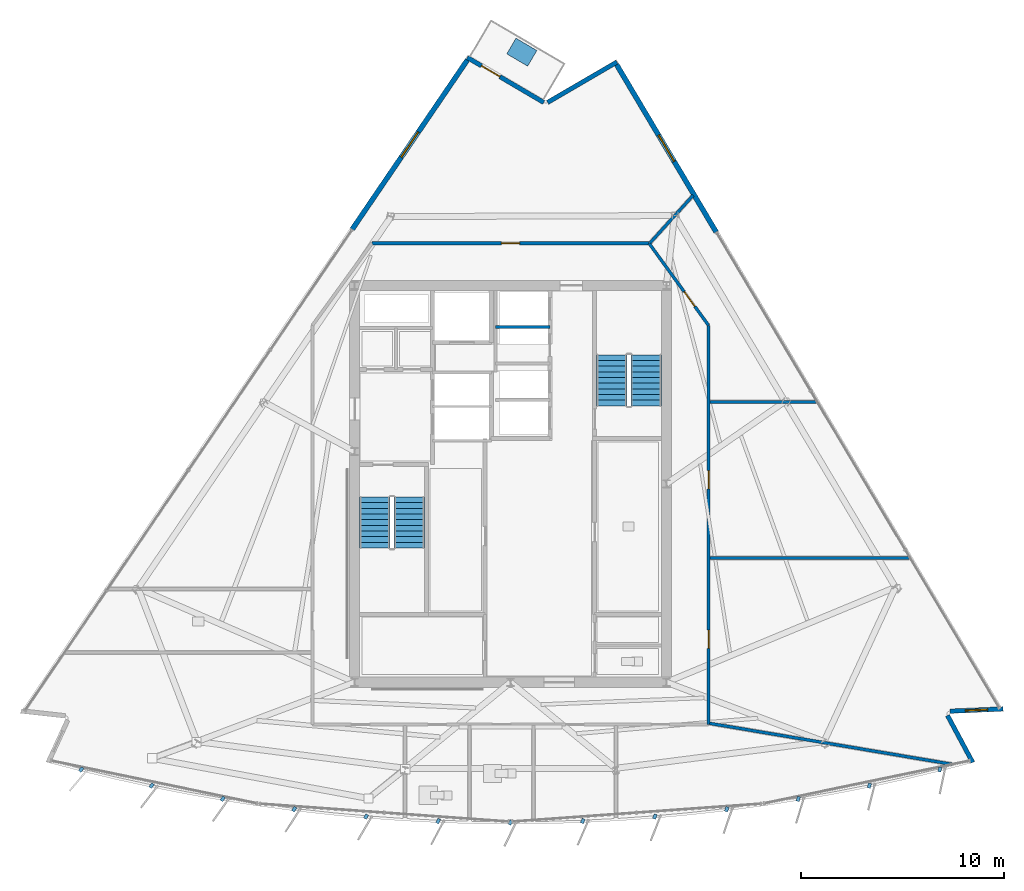
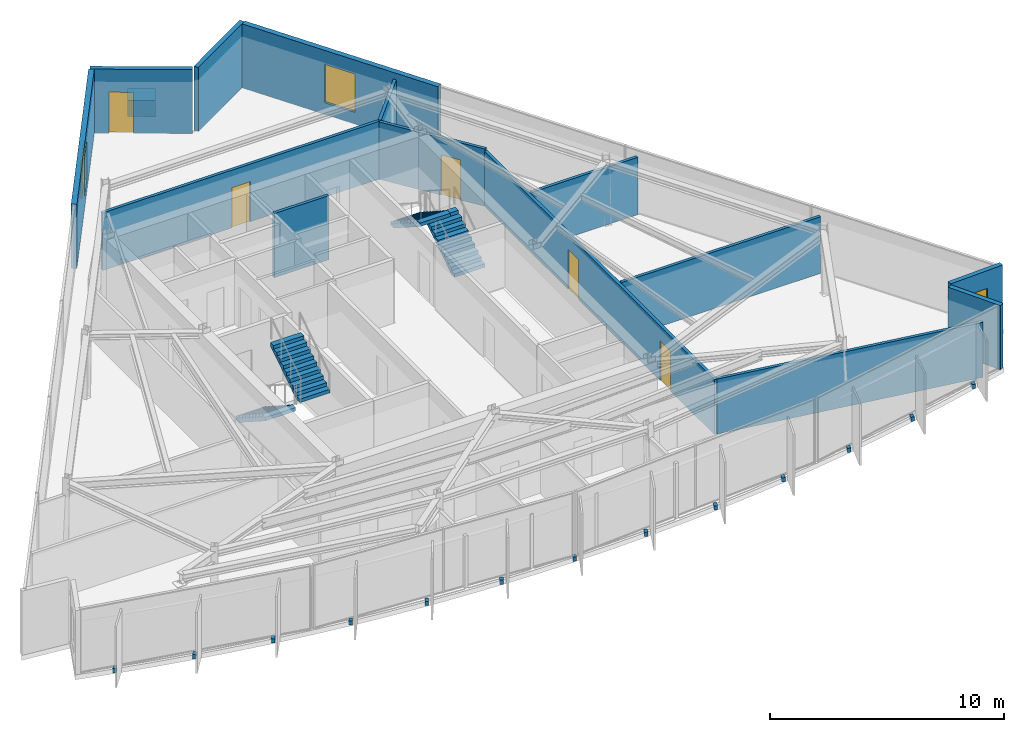
# One storey, part 8 of 12: 14 discrete accessories, 14 walls, 5 doors, 4 stair flights, 3 windows, 8 openings, 2 elements without a shape of their own.
"""IFC4 building model written with IfcOpenShell, lengths in metres."""

from ifc_helpers import new_model, si_unit, direction, frame, frame_2d, origin, origin_2d, place, context, subcontext, project, spatial, polyline, rectangle, outline, extrude, material, layer, layer_set, type_object, element, fill, aggregate, save


model = new_model("IFC4")

# Units and contexts
model_context = context("Model", 3, precision=1e-05, world=origin(), true_north=direction((0.0, 1.0)))
body_context = subcontext(model_context, "Body", "Model", "MODEL_VIEW")
ifc_project = project(units=[si_unit("LENGTHUNIT", "METRE"), si_unit("AREAUNIT", "SQUARE_METRE"), si_unit("VOLUMEUNIT", "CUBIC_METRE"), si_unit("PLANEANGLEUNIT", "RADIAN"), si_unit("MASSUNIT", "GRAM", prefix="KILO")], contexts=[model_context])

# Site, building, storey
site_placement = place(None, origin())
site = spatial("IfcSite", under=ifc_project, at=site_placement, CompositionType="ELEMENT")
building_placement = place(site_placement, origin())
building = spatial("IfcBuilding", under=site, at=building_placement, Name="Savorim Split Tower", CompositionType="ELEMENT")
storey_placement = place(building_placement, frame((0.0, 0.0, 268.800048828125)))
storey = spatial("IfcBuildingStorey", under=building, at=storey_placement, Name="L71", CompositionType="ELEMENT", Elevation=268.800048828125)

# Wall
ifc_material_1 = material(Name="Precast concrete C40/50", Category="concrete")
ifc_layer_1 = layer(ifc_material_1, 0.219970703125)
ifc_layer_set_1 = layer_set([ifc_layer_1], Name="WAL-EXT-CRN220")
wall_type_1 = type_object("IfcWallType", Name="WAL-EXT-CRN220", PredefinedType="SOLIDWALL", material=ifc_layer_set_1)
wall_1_placement = place(storey_placement, frame((21.58056640625, -11.03955078125, 0.0), z_axis=(0.0, 0.0, 1.0), x_axis=(0.472791303324, -0.881174434208, 0.0)))
element("IfcWall", 1, at=wall_1_placement, inside=storey, type_object=wall_type_1, Name="L71 Notched Corner Facade Wall SE1", PredefinedType="SOLIDWALL", context=body_context, shape_type="SweptSolid", body=[
    extrude(rectangle(XDim=2.626953125, YDim=0.219970703125, at=frame_2d((1.3134765625, 0.0))), origin(), (0.0, 0.0, 1.0), 3.349853515625),
])

# Wall, opening, window
wall_2_placement = place(storey_placement, frame((24.32421875, -10.71435546875, 0.0), z_axis=(0.0, 0.0, 1.0), x_axis=(-0.999095924753, -0.042512740932, 0.0)))
wall_2 = element("IfcWall", 2, at=wall_2_placement, inside=storey, type_object=wall_type_1, Name="L71 Notched Corner Facade Wall SE", PredefinedType="SOLIDWALL", context=body_context, shape_type="SweptSolid", body=[
    extrude(rectangle(XDim=2.62451171875, YDim=0.219970703125, at=frame_2d((1.312255859375, 0.0))), origin(), (0.0, 0.0, 1.0), 3.349853515625),
])
opening_1_placement = place(wall_2_placement, frame((0.76220703125, 0.0, 0.6201171875)))
opening_1 = element("IfcOpeningElement", 3, at=opening_1_placement, cuts=wall_2, Name="Opening WN-09", PredefinedType="OPENING", context=body_context, shape_type="SweptSolid", body=[
    extrude(rectangle(XDim=1.10009765625, YDim=1.800048828125, at=frame_2d((0.550048828125, 0.89990234375))), frame((0.0, 0.119873046875, 0.0), z_axis=(0.0, -1.0, 0.0), x_axis=(1.0, 0.0, 0.0)), (0.0, 0.0, 1.0), 0.239990234375),
])
ifc_material_2 = material(Name="Low-E Operable Double Glazing", Category="glass")
window_type_1 = type_object("IfcWindowType", Name="WIN-TWR-1100x1800", PartitioningType="SINGLE_PANEL", PredefinedType="WINDOW", material=ifc_material_2)
window_1_placement = place(opening_1_placement, origin())
window_1 = element("IfcWindow", 4, at=window_1_placement, inside=storey, type_object=window_type_1, Name="L71 Operable Corner Window SE", OverallHeight=1.800048828125, OverallWidth=1.10009765625, PartitioningType="SINGLE_PANEL", PredefinedType="WINDOW", context=body_context, shape_type="SweptSolid", body=[
    extrude(rectangle(XDim=1.10009765625, YDim=1.800048828125, at=frame_2d((0.550048828125, 0.89990234375))), frame((0.0, 0.030029296875, 0.0), z_axis=(0.0, -1.0, 0.0), x_axis=(1.0, 0.0, 0.0)), (0.0, 0.0, 1.0), 0.06005859375),
])
fill(opening_1, window_1)

# Wall
wall_3_placement = place(storey_placement, frame((1.832275390625, 19.233642578125, 0.0), z_axis=(0.0, 0.0, 1.0), x_axis=(0.86397765749, 0.503530145432, 0.0)))
element("IfcWall", 5, at=wall_3_placement, inside=storey, type_object=wall_type_1, Name="L71 Notched Corner Facade Wall NE1", PredefinedType="SOLIDWALL", context=body_context, shape_type="SweptSolid", body=[
    extrude(rectangle(XDim=3.963623046875, YDim=0.219970703125, at=frame_2d((1.98193359375, 0.0))), origin(), (0.0, 0.0, 1.0), 3.349853515625),
])

# Wall, opening, door
wall_4_placement = place(storey_placement, frame((-2.1337890625, 21.453125, 0.0), z_axis=(0.0, 0.0, 1.0), x_axis=(0.862106131527, -0.506727755292, 0.0)))
wall_4 = element("IfcWall", 6, at=wall_4_placement, inside=storey, type_object=wall_type_1, Name="L71 Notched Corner Facade Wall N", PredefinedType="SOLIDWALL", context=body_context, shape_type="SweptSolid", body=[
    extrude(rectangle(XDim=4.379638671875, YDim=0.219970703125, at=frame_2d((2.18994140625, 0.0))), origin(), (0.0, 0.0, 1.0), 3.349853515625),
])
opening_2_placement = place(wall_4_placement, frame((0.814697265625, 0.0, 0.0)))
opening_2 = element("IfcOpeningElement", 7, at=opening_2_placement, cuts=wall_4, Name="Opening DB-01", PredefinedType="OPENING", context=body_context, shape_type="SweptSolid", body=[
    extrude(rectangle(XDim=1.050048828125, YDim=2.14990234375, at=frame_2d((0.52490234375, 1.074951171875))), frame((0.0, 0.119873046875, 0.0), z_axis=(0.0, -1.0, 0.0), x_axis=(1.0, 0.0, 0.0)), (0.0, 0.0, 1.0), 0.239990234375),
])
ifc_material_3 = material(Name="Charcoal Anodised Aluminium", Category="aluminium")
door_type_1 = type_object("IfcDoorType", Name="DOR-BAL-1050", OperationType="NOTDEFINED", PredefinedType="DOOR", material=ifc_material_3)
door_1_placement = place(opening_2_placement, origin())
door_1 = element("IfcDoor", 8, at=door_1_placement, inside=storey, type_object=door_type_1, Name="DOR-L71-TBAL-N - L71 Planted Tree Balcony Door N", OperationType="SINGLE_SWING_RIGHT", OverallHeight=2.14990234375, OverallWidth=1.050048828125, PredefinedType="DOOR", context=body_context, shape_type="SweptSolid", body=[
    extrude(rectangle(XDim=1.050048828125, YDim=2.14990234375, at=frame_2d((0.52490234375, 1.074951171875))), frame((0.0, 0.02490234375, 0.0), z_axis=(0.0, -1.0, 0.0), x_axis=(1.0, 0.0, 0.0)), (0.0, 0.0, 1.0), 0.050048828125),
])
fill(opening_2, door_1)

# Wall, opening, window
ifc_layer_2 = layer(ifc_material_1, 0.25)
ifc_layer_set_2 = layer_set([ifc_layer_2], Name="WAL-EXT-SPN250")
wall_type_2 = type_object("IfcWallType", Name="WAL-EXT-SPN250", PredefinedType="SOLIDWALL", material=ifc_layer_set_2)
wall_5_placement = place(storey_placement, frame((5.240234375, 21.10302734375, 0.0), z_axis=(0.0, 0.0, 1.0), x_axis=(0.511088566076, -0.859528055171, 0.0)))
wall_5 = element("IfcWall", 9, at=wall_5_placement, inside=storey, type_object=wall_type_2, Name="L71 East Operable Window Pier", PredefinedType="SOLIDWALL", context=body_context, shape_type="SweptSolid", body=[
    extrude(rectangle(XDim=9.62158203125, YDim=0.25, at=frame_2d((4.810791015625, 0.0))), origin(), (0.0, 0.0, 1.0), 3.349853515625),
])
opening_3_placement = place(wall_5_placement, frame((4.060791015625, 0.0, 0.6201171875)))
opening_3 = element("IfcOpeningElement", 10, at=opening_3_placement, cuts=wall_5, Name="Opening WN-06", PredefinedType="OPENING", context=body_context, shape_type="SweptSolid", body=[
    extrude(rectangle(XDim=1.5, YDim=2.0, at=frame_2d((0.75, 1.0))), frame((0.0, 0.135009765625, 0.0), z_axis=(0.0, -1.0, 0.0), x_axis=(1.0, 0.0, 0.0)), (0.0, 0.0, 1.0), 0.27001953125),
])
window_type_2 = type_object("IfcWindowType", Name="WIN-TWR-1500x2000", PartitioningType="SINGLE_PANEL", PredefinedType="WINDOW", material=ifc_material_2)
window_2_placement = place(opening_3_placement, origin())
window_2 = element("IfcWindow", 11, at=window_2_placement, inside=storey, type_object=window_type_2, Name="L71 East Operable Ventilation Window", OverallHeight=2.0, OverallWidth=1.5, PartitioningType="SINGLE_PANEL", PredefinedType="WINDOW", context=body_context, shape_type="SweptSolid", body=[
    extrude(rectangle(XDim=1.5, YDim=2.0, at=frame_2d((0.75, 1.0))), frame((0.0, 0.030029296875, 0.0), z_axis=(0.0, -1.0, 0.0), x_axis=(1.0, 0.0, 0.0)), (0.0, 0.0, 1.0), 0.06005859375),
])
fill(opening_3, window_2)

wall_6_placement = place(storey_placement, frame((-7.81689453125, 12.970947265625, 0.0), z_axis=(0.0, 0.0, 1.0), x_axis=(0.562474530687, 0.826814611826, 0.0)))
wall_6 = element("IfcWall", 12, at=wall_6_placement, inside=storey, type_object=wall_type_2, Name="L71 West Operable Window Pier", PredefinedType="SOLIDWALL", context=body_context, shape_type="SweptSolid", body=[
    extrude(rectangle(XDim=10.106689453125, YDim=0.25, at=frame_2d((5.05322265625, 0.0))), origin(), (0.0, 0.0, 1.0), 3.349853515625),
])
opening_4_placement = place(wall_6_placement, frame((4.303466796875, 0.0, 0.6201171875)))
opening_4 = element("IfcOpeningElement", 13, at=opening_4_placement, cuts=wall_6, Name="Opening WN-06", PredefinedType="OPENING", context=body_context, shape_type="SweptSolid", body=[
    extrude(rectangle(XDim=1.5, YDim=2.0, at=frame_2d((0.75, 1.0))), frame((0.0, 0.135009765625, 0.0), z_axis=(0.0, -1.0, 0.0), x_axis=(1.0, 0.0, 0.0)), (0.0, 0.0, 1.0), 0.27001953125),
])
window_3_placement = place(opening_4_placement, origin())
window_3 = element("IfcWindow", 14, at=window_3_placement, inside=storey, type_object=window_type_2, Name="L71 West Operable Ventilation Window", OverallHeight=2.0, OverallWidth=1.5, PartitioningType="SINGLE_PANEL", PredefinedType="WINDOW", context=body_context, shape_type="SweptSolid", body=[
    extrude(rectangle(XDim=1.5, YDim=2.0, at=frame_2d((0.75, 1.0))), frame((0.0, 0.030029296875, 0.0), z_axis=(0.0, -1.0, 0.0), x_axis=(1.0, 0.0, 0.0)), (0.0, 0.0, 1.0), 0.06005859375),
])
fill(opening_4, window_3)

# Wall
ifc_material_4 = material(Name="Acoustic Gypsum Partition Board")
ifc_layer_3 = layer(ifc_material_4, 0.14990234375)
ifc_layer_set_3 = layer_set([ifc_layer_3], Name="WAL-PAR-150")
wall_type_3 = type_object("IfcWallType", Name="WAL-PAR-150", PredefinedType="PARTITIONING", material=ifc_layer_set_3)
wall_7_placement = place(storey_placement, frame((-0.75, 8.14990234375, 0.0), z_axis=(0.0, 0.0, 1.0), x_axis=(1.0, 0.0, 0.0)))
element("IfcWall", 15, at=wall_7_placement, inside=storey, type_object=wall_type_3, Name="L71 Partition W-L71-B3DIV3", PredefinedType="PARTITIONING", context=body_context, shape_type="SweptSolid", body=[
    extrude(rectangle(XDim=2.699951171875, YDim=0.14990234375, at=frame_2d((1.35009765625, 0.0))), origin(), (0.0, 0.0, 1.0), 3.349853515625),
])

# Wall, opening, door
wall_8_placement = place(storey_placement, frame((-6.8408203125, 12.280029296875, 0.0), z_axis=(0.0, 0.0, 1.0), x_axis=(1.0, 0.0, 0.0)))
wall_8 = element("IfcWall", 16, at=wall_8_placement, inside=storey, type_object=wall_type_3, Name="L71 Partition W-L71-COR-03", PredefinedType="PARTITIONING", context=body_context, shape_type="SweptSolid", body=[
    extrude(rectangle(XDim=13.681640625, YDim=0.14990234375, at=frame_2d((6.8408203125, 0.0))), origin(), (0.0, 0.0, 1.0), 3.014892578125),
])
opening_5_placement = place(wall_8_placement, frame((6.390869140625, 0.0, 0.0)))
opening_5 = element("IfcOpeningElement", 17, at=opening_5_placement, cuts=wall_8, Name="Opening DI-06", PredefinedType="OPENING", context=body_context, shape_type="SweptSolid", body=[
    extrude(rectangle(XDim=0.89990234375, YDim=2.10009765625, at=frame_2d((0.449951171875, 1.050048828125))), frame((0.0, 0.0849609375, 0.0), z_axis=(0.0, -1.0, 0.0), x_axis=(1.0, 0.0, 0.0)), (0.0, 0.0, 1.0), 0.169921875),
])
ifc_material_5 = material(Name="Timber Fire Door Leaf", Category="wood")
door_type_2 = type_object("IfcDoorType", Name="DOR-FIR-900", OperationType="NOTDEFINED", PredefinedType="DOOR", material=ifc_material_5)
door_2_placement = place(opening_5_placement, origin())
door_2 = element("IfcDoor", 18, at=door_2_placement, inside=storey, type_object=door_type_2, Name="DR-L71-RM10 - L71 Co-Working Commons Entry Door", OperationType="SINGLE_SWING_LEFT", OverallHeight=2.10009765625, OverallWidth=0.89990234375, PredefinedType="DOOR", context=body_context, shape_type="SweptSolid", body=[
    extrude(rectangle(XDim=0.89990234375, YDim=2.10009765625, at=frame_2d((0.449951171875, 1.050048828125))), frame((0.0, 0.02490234375, 0.0), z_axis=(0.0, -1.0, 0.0), x_axis=(1.0, 0.0, 0.0)), (0.0, 0.0, 1.0), 0.050048828125),
])
fill(opening_5, door_2)

wall_9_placement = place(storey_placement, frame((6.8408203125, 12.280029296875, 0.0), z_axis=(0.0, 0.0, 1.0), x_axis=(0.586956386413, -0.809618552436, 0.0)))
wall_9 = element("IfcWall", 19, at=wall_9_placement, inside=storey, type_object=wall_type_3, Name="L71 Partition W-L71-COR-04", PredefinedType="PARTITIONING", context=body_context, shape_type="SweptSolid", body=[
    extrude(rectangle(XDim=5.007568359375, YDim=0.14990234375, at=frame_2d((2.50390625, 0.0))), origin(), (0.0, 0.0, 1.0), 2.994873046875),
])
opening_6_placement = place(wall_9_placement, frame((2.95361328125, 0.0, 0.0)))
opening_6 = element("IfcOpeningElement", 20, at=opening_6_placement, cuts=wall_9, Name="Opening DI-06", PredefinedType="OPENING", context=body_context, shape_type="SweptSolid", body=[
    extrude(rectangle(XDim=0.89990234375, YDim=2.10009765625, at=frame_2d((0.449951171875, 1.050048828125))), frame((0.0, 0.0849609375, 0.0), z_axis=(0.0, -1.0, 0.0), x_axis=(1.0, 0.0, 0.0)), (0.0, 0.0, 1.0), 0.169921875),
])
door_3_placement = place(opening_6_placement, origin())
door_3 = element("IfcDoor", 21, at=door_3_placement, inside=storey, type_object=door_type_2, Name="DR-L71-RM09 - L71 Quiet Study Room Entry Door", OperationType="SINGLE_SWING_RIGHT", OverallHeight=2.10009765625, OverallWidth=0.89990234375, PredefinedType="DOOR", context=body_context, shape_type="SweptSolid", body=[
    extrude(rectangle(XDim=0.89990234375, YDim=2.10009765625, at=frame_2d((0.449951171875, 1.050048828125))), frame((0.0, 0.02490234375, 0.0), z_axis=(0.0, -1.0, 0.0), x_axis=(1.0, 0.0, 0.0)), (0.0, 0.0, 1.0), 0.050048828125),
])
fill(opening_6, door_3)

# Wall, openings, doors
wall_10_placement = place(storey_placement, frame((9.780029296875, 8.225830078125, 0.0), z_axis=(0.0, 0.0, 1.0), x_axis=(0.0, -1.0, 0.0)))
wall_10 = element("IfcWall", 22, at=wall_10_placement, inside=storey, type_object=wall_type_3, Name="L71 Partition W-L71-COR-05", PredefinedType="PARTITIONING", context=body_context, shape_type="SweptSolid", body=[
    extrude(rectangle(XDim=19.705810546875, YDim=0.14990234375, at=frame_2d((9.85302734375, 0.0))), origin(), (0.0, 0.0, 1.0), 2.875),
])
opening_7_placement = place(wall_10_placement, frame((15.054443359375, 0.0, 0.0)))
opening_7 = element("IfcOpeningElement", 23, at=opening_7_placement, cuts=wall_10, Name="Opening DI-06", PredefinedType="OPENING", context=body_context, shape_type="SweptSolid", body=[
    extrude(rectangle(XDim=0.89990234375, YDim=2.10009765625, at=frame_2d((0.449951171875, 1.050048828125))), frame((0.0, 0.0849609375, 0.0), z_axis=(0.0, -1.0, 0.0), x_axis=(1.0, 0.0, 0.0)), (0.0, 0.0, 1.0), 0.169921875),
])
opening_8_placement = place(wall_10_placement, frame((7.177490234375, 0.0, 0.0)))
opening_8 = element("IfcOpeningElement", 24, at=opening_8_placement, cuts=wall_10, Name="Opening DI-06", PredefinedType="OPENING", context=body_context, shape_type="SweptSolid", body=[
    extrude(rectangle(XDim=0.89990234375, YDim=2.10009765625, at=frame_2d((0.449951171875, 1.050048828125))), frame((0.0, 0.0849609375, 0.0), z_axis=(0.0, -1.0, 0.0), x_axis=(1.0, 0.0, 0.0)), (0.0, 0.0, 1.0), 0.169921875),
])
door_4_placement = place(opening_7_placement, origin())
door_4 = element("IfcDoor", 25, at=door_4_placement, inside=storey, type_object=door_type_2, Name="DR-L71-RM07 - L71 Co-Working Commons Entry Door", OperationType="SINGLE_SWING_RIGHT", OverallHeight=2.10009765625, OverallWidth=0.89990234375, PredefinedType="DOOR", context=body_context, shape_type="SweptSolid", body=[
    extrude(rectangle(XDim=0.89990234375, YDim=2.10009765625, at=frame_2d((0.449951171875, 1.050048828125))), frame((0.0, 0.02490234375, 0.0), z_axis=(0.0, -1.0, 0.0), x_axis=(1.0, 0.0, 0.0)), (0.0, 0.0, 1.0), 0.050048828125),
])
fill(opening_7, door_4)
door_5_placement = place(opening_8_placement, origin())
door_5 = element("IfcDoor", 26, at=door_5_placement, inside=storey, type_object=door_type_2, Name="DR-L71-RM08 - L71 Co-Working Commons Entry Door", OperationType="SINGLE_SWING_LEFT", OverallHeight=2.10009765625, OverallWidth=0.89990234375, PredefinedType="DOOR", context=body_context, shape_type="SweptSolid", body=[
    extrude(rectangle(XDim=0.89990234375, YDim=2.10009765625, at=frame_2d((0.449951171875, 1.050048828125))), frame((0.0, 0.02490234375, 0.0), z_axis=(0.0, -1.0, 0.0), x_axis=(1.0, 0.0, 0.0)), (0.0, 0.0, 1.0), 0.050048828125),
])
fill(opening_8, door_5)

# Walls
wall_11_placement = place(storey_placement, frame((9.837158203125, -11.42724609375, 0.0), z_axis=(0.0, 0.0, 1.0), x_axis=(0.986039897187, -0.166509222433, 0.0)))
element("IfcWall", 27, at=wall_11_placement, inside=storey, type_object=wall_type_3, Name="L71 Partition W-L71-PRAD04", PredefinedType="PARTITIONING", context=body_context, shape_type="SweptSolid", body=[
    extrude(rectangle(XDim=12.155029296875, YDim=0.14990234375, at=frame_2d((6.07763671875, 0.0))), origin(), (0.0, 0.0, 1.0), 2.875),
])
wall_12_placement = place(storey_placement, frame((9.840087890625, 4.451904296875, 0.0), z_axis=(0.0, 0.0, 1.0), x_axis=(1.0, 0.0, 0.0)))
element("IfcWall", 28, at=wall_12_placement, inside=storey, type_object=wall_type_3, Name="L71 Partition W-L71-PRAD06", PredefinedType="PARTITIONING", context=body_context, shape_type="SweptSolid", body=[
    extrude(rectangle(XDim=5.242919921875, YDim=0.14990234375, at=frame_2d((2.62158203125, 0.0))), origin(), (0.0, 0.0, 1.0), 2.994873046875),
])
wall_13_placement = place(storey_placement, frame((6.895751953125, 12.3017578125, 0.0), z_axis=(0.0, 0.0, 1.0), x_axis=(0.671420151028, 0.741076906126, 0.0)))
element("IfcWall", 29, at=wall_13_placement, inside=storey, type_object=wall_type_3, Name="L71 Partition W-L71-PRAD07", PredefinedType="PARTITIONING", context=body_context, shape_type="SweptSolid", body=[
    extrude(rectangle(XDim=3.1650390625, YDim=0.14990234375, at=frame_2d((1.58251953125, 0.0))), origin(), (0.0, 0.0, 1.0), 3.014892578125),
])
wall_14_placement = place(storey_placement, frame((9.840087890625, -3.25537109375, 0.0), z_axis=(0.0, 0.0, 1.0), x_axis=(1.0, 0.0, 0.0)))
element("IfcWall", 30, at=wall_14_placement, inside=storey, type_object=wall_type_3, Name="L71 Partition W-L71-SUB03", PredefinedType="PARTITIONING", context=body_context, shape_type="SweptSolid", body=[
    extrude(rectangle(XDim=9.825927734375, YDim=0.14990234375, at=frame_2d((4.9130859375, 0.0))), origin(), (0.0, 0.0, 1.0), 2.96484375),
])

# Stair, stair flights
ifc_material_6 = material(Name="Concrete C50/60", Category="concrete")
stair_type = type_object("IfcStairType", Name="STR-DOG-3600", PredefinedType="HALF_TURN_STAIR", material=ifc_material_6)
stair_1_placement = place(storey_placement, origin())
stair_1 = element("IfcStair", 31, at=stair_1_placement, inside=storey, type_object=stair_type, Name="L71 Core Protected Exit Stair ST-1", PredefinedType="HALF_TURN_STAIR")
stair_flight_type = type_object("IfcStairFlightType", Name="SFL-DOG-3600", PredefinedType="STRAIGHT", material=ifc_material_6)
stair_flight_1_placement = place(storey_placement, frame((-6.699951171875, -0.25, 0.0), z_axis=(0.0, 0.0, 1.0), x_axis=(0.0, -1.0, 0.0)))
stair_flight_1 = element("IfcStairFlight", 32, at=stair_flight_1_placement, type_object=stair_flight_type, Name="ST-1 flight 1", NumberOfRisers=10, NumberOfTreads=9, PredefinedType="STRAIGHT", RiserHeight=0.18, TreadLength=0.28, context=body_context, shape_type="SweptSolid", body=[
    extrude(outline(polyline([(0.0, 0.0), (0.0, 0.179931640625), (0.280029296875, 0.179931640625), (0.280029296875, 0.360107421875), (0.56005859375, 0.360107421875), (0.56005859375, 0.5400390625), (0.840087890625, 0.5400390625), (0.840087890625, 0.719970703125), (1.1201171875, 0.719970703125), (1.1201171875, 0.89990234375), (1.39990234375, 0.89990234375), (1.39990234375, 1.080078125), (1.679931640625, 1.080078125), (1.679931640625, 1.260009765625), (1.9599609375, 1.260009765625), (1.9599609375, 1.43994140625), (2.239990234375, 1.43994140625), (2.239990234375, 1.6201171875), (2.52001953125, 1.6201171875), (2.52001953125, 1.800048828125), (2.52001953125, 1.44189453125), (0.277099609375, 0.0), (0.0, 0.0)])), frame((0.0, 0.75, 0.0), z_axis=(0.0, -1.0, 0.0), x_axis=(1.0, 0.0, 0.0)), (0.0, 0.0, 1.0), 1.5),
])
stair_flight_2_placement = place(storey_placement, frame((-5.0, -2.77001953125, 1.800048828125), z_axis=(0.0, 0.0, 1.0), x_axis=(0.0, 1.0, 0.0)))
stair_flight_2 = element("IfcStairFlight", 33, at=stair_flight_2_placement, type_object=stair_flight_type, Name="ST-1 flight 2", NumberOfRisers=10, NumberOfTreads=9, PredefinedType="STRAIGHT", RiserHeight=0.18, TreadLength=0.28, context=body_context, shape_type="SweptSolid", body=[
    extrude(outline(polyline([(0.0, 0.0), (0.0, 0.179931640625), (0.280029296875, 0.179931640625), (0.280029296875, 0.360107421875), (0.56005859375, 0.360107421875), (0.56005859375, 0.5400390625), (0.840087890625, 0.5400390625), (0.840087890625, 0.719970703125), (1.1201171875, 0.719970703125), (1.1201171875, 0.89990234375), (1.39990234375, 0.89990234375), (1.39990234375, 1.080078125), (1.679931640625, 1.080078125), (1.679931640625, 1.260009765625), (1.9599609375, 1.260009765625), (1.9599609375, 1.43994140625), (2.239990234375, 1.43994140625), (2.239990234375, 1.6201171875), (2.52001953125, 1.6201171875), (2.52001953125, 1.800048828125), (2.52001953125, 1.44189453125), (0.277099609375, 0.0), (0.0, 0.0)])), frame((0.0, 0.75, 0.0), z_axis=(0.0, -1.0, 0.0), x_axis=(1.0, 0.0, 0.0)), (0.0, 0.0, 1.0), 1.5),
])
aggregate(stair_1, [stair_flight_1, stair_flight_2])

stair_2_placement = place(storey_placement, origin())
stair_2 = element("IfcStair", 34, at=stair_2_placement, inside=storey, type_object=stair_type, Name="L71 Core Protected Exit Stair ST-2", PredefinedType="HALF_TURN_STAIR")
stair_flight_3_placement = place(storey_placement, frame((6.699951171875, 4.25, 0.0), z_axis=(0.0, 0.0, 1.0), x_axis=(0.0, 1.0, 0.0)))
stair_flight_3 = element("IfcStairFlight", 35, at=stair_flight_3_placement, type_object=stair_flight_type, Name="ST-2 flight 1", NumberOfRisers=10, NumberOfTreads=9, PredefinedType="STRAIGHT", RiserHeight=0.18, TreadLength=0.28, context=body_context, shape_type="SweptSolid", body=[
    extrude(outline(polyline([(0.0, 0.0), (0.0, 0.179931640625), (0.280029296875, 0.179931640625), (0.280029296875, 0.360107421875), (0.56005859375, 0.360107421875), (0.56005859375, 0.5400390625), (0.840087890625, 0.5400390625), (0.840087890625, 0.719970703125), (1.1201171875, 0.719970703125), (1.1201171875, 0.89990234375), (1.39990234375, 0.89990234375), (1.39990234375, 1.080078125), (1.679931640625, 1.080078125), (1.679931640625, 1.260009765625), (1.9599609375, 1.260009765625), (1.9599609375, 1.43994140625), (2.239990234375, 1.43994140625), (2.239990234375, 1.6201171875), (2.52001953125, 1.6201171875), (2.52001953125, 1.800048828125), (2.52001953125, 1.44189453125), (0.277099609375, 0.0), (0.0, 0.0)])), frame((0.0, 0.75, 0.0), z_axis=(0.0, -1.0, 0.0), x_axis=(1.0, 0.0, 0.0)), (0.0, 0.0, 1.0), 1.5),
])
stair_flight_4_placement = place(storey_placement, frame((5.0, 6.77001953125, 1.800048828125), z_axis=(0.0, 0.0, 1.0), x_axis=(0.0, -1.0, 0.0)))
stair_flight_4 = element("IfcStairFlight", 36, at=stair_flight_4_placement, type_object=stair_flight_type, Name="ST-2 flight 2", NumberOfRisers=10, NumberOfTreads=9, PredefinedType="STRAIGHT", RiserHeight=0.18, TreadLength=0.28, context=body_context, shape_type="SweptSolid", body=[
    extrude(outline(polyline([(0.0, 0.0), (0.0, 0.179931640625), (0.280029296875, 0.179931640625), (0.280029296875, 0.360107421875), (0.56005859375, 0.360107421875), (0.56005859375, 0.5400390625), (0.840087890625, 0.5400390625), (0.840087890625, 0.719970703125), (1.1201171875, 0.719970703125), (1.1201171875, 0.89990234375), (1.39990234375, 0.89990234375), (1.39990234375, 1.080078125), (1.679931640625, 1.080078125), (1.679931640625, 1.260009765625), (1.9599609375, 1.260009765625), (1.9599609375, 1.43994140625), (2.239990234375, 1.43994140625), (2.239990234375, 1.6201171875), (2.52001953125, 1.6201171875), (2.52001953125, 1.800048828125), (2.52001953125, 1.44189453125), (0.277099609375, 0.0), (0.0, 0.0)])), frame((0.0, 0.75, 0.0), z_axis=(0.0, -1.0, 0.0), x_axis=(1.0, 0.0, 0.0)), (0.0, 0.0, 1.0), 1.5),
])
aggregate(stair_2, [stair_flight_3, stair_flight_4])

# Discrete accessories
ifc_material_7 = material(Name="Steel S355", Category="steel")
discrete_accessory_type_1 = type_object("IfcDiscreteAccessoryType", Name="ACC-BRK-FIN", PredefinedType="BRACKET", material=ifc_material_7)
for number, where, z_axis, x_axis, name in (
    (37, (-21.19970703125, -13.70703125, -0.18994140625), (0.0, 0.0, 1.0), (-0.643719022682, -0.765261928909, 0.0), "L71 Fin Slab-Edge Cleat Bracket 01"),
    (38, (-17.720947265625, -14.503662109375, -0.18994140625), (0.0, 0.0, 1.0), (-0.611868076908, -0.790959832394, 0.0), "L71 Fin Slab-Edge Cleat Bracket 02"),
    (39, (-14.21240234375, -15.1572265625, -0.18994140625), (0.0, 0.0, 1.0), (-0.578993757737, -0.815331974414, 0.0), "L71 Fin Slab-Edge Cleat Bracket 03"),
    (40, (-10.680419921875, -15.666748046875, -0.18994140625), (0.0, 0.0, 1.0), (-0.545148321708, -0.838339613366, 0.0), "L71 Fin Slab-Edge Cleat Bracket 04"),
    (41, (-7.130126953125, -16.03125, -0.18994140625), (0.0, 0.0, 1.0), (-0.510391336723, -0.859942255851, 0.0), "L71 Fin Slab-Edge Cleat Bracket 05"),
    (42, (-3.568115234375, -16.250244140625, -0.18994140625), (0.0, 0.0, 1.0), (-0.474778051978, -0.880105562623, 0.0), "L71 Fin Slab-Edge Cleat Bracket 06"),
    (43, (0.0, -16.3232421875, -0.18994140625), (0.0, 0.0, 1.0), (-0.438371146789, -0.898794046299, 0.0), "L71 Fin Slab-Edge Cleat Bracket 07"),
    (44, (3.568115234375, -16.250244140625, -0.18994140625), (0.0, 0.0, 1.0), (-0.401230091723, -0.915977299662, 0.0), "L71 Fin Slab-Edge Cleat Bracket 08"),
    (45, (7.130126953125, -16.03125, -0.18994140625), (0.0, 0.0, 1.0), (-0.363415461732, -0.931627179817, 0.0), "L71 Fin Slab-Edge Cleat Bracket 09"),
    (46, (10.680419921875, -15.666748046875, -0.18994140625), (0.0, 0.0, 1.0), (-0.324993810493, -0.945716143005, 0.0), "L71 Fin Slab-Edge Cleat Bracket 10"),
    (47, (14.21240234375, -15.1572265625, -0.18994140625), (0.0, 0.0, 1.0), (-0.286026212504, -0.958221793616, 0.0), "L71 Fin Slab-Edge Cleat Bracket 11"),
    (48, (17.720947265625, -14.503662109375, -0.18994140625), (0.0, 0.0, 1.0), (-0.246581250663, -0.969122121727, 0.0), "L71 Fin Slab-Edge Cleat Bracket 12"),
    (49, (21.19970703125, -13.70703125, -0.18994140625), (0.0, 0.0, 1.0), (-0.206721626106, -0.978399800337, 0.0), "L71 Fin Slab-Edge Cleat Bracket 13"),
):
    element("IfcDiscreteAccessory", number, at=place(storey_placement, frame(where, z_axis=z_axis, x_axis=x_axis)), inside=storey, type_object=discrete_accessory_type_1, Name=name, PredefinedType="BRACKET", context=body_context, shape_type="SweptSolid", body=[
        extrude(rectangle(XDim=0.239990234375, YDim=0.159912109375, at=origin_2d()), origin(), (0.0, 0.0, 1.0), 0.219970703125),
    ])
ifc_material_8 = material(Name="Architectural Precast Planter Concrete C40/50", Category="concrete")
discrete_accessory_type_2 = type_object("IfcDiscreteAccessoryType", Name="ACC-PLN-TREE", PredefinedType="USERDEFINED", material=ifc_material_8)
discrete_accessory_placement = place(storey_placement, frame((0.5595703125, 21.71435546875, 0.0), z_axis=(0.0, 0.0, 1.0), x_axis=(-0.862124808883, 0.50669597779, 0.0)))
element("IfcDiscreteAccessory", 50, at=discrete_accessory_placement, inside=storey, type_object=discrete_accessory_type_2, Name="L71 Balcony Precast Tree Planter N", ObjectType="PLANTER", PredefinedType="USERDEFINED", context=body_context, shape_type="SweptSolid", body=[
    extrude(rectangle(XDim=1.199951171875, YDim=0.89990234375, at=origin_2d()), origin(), (0.0, 0.0, 1.0), 0.85009765625),
])

save(model, "model.ifc")
